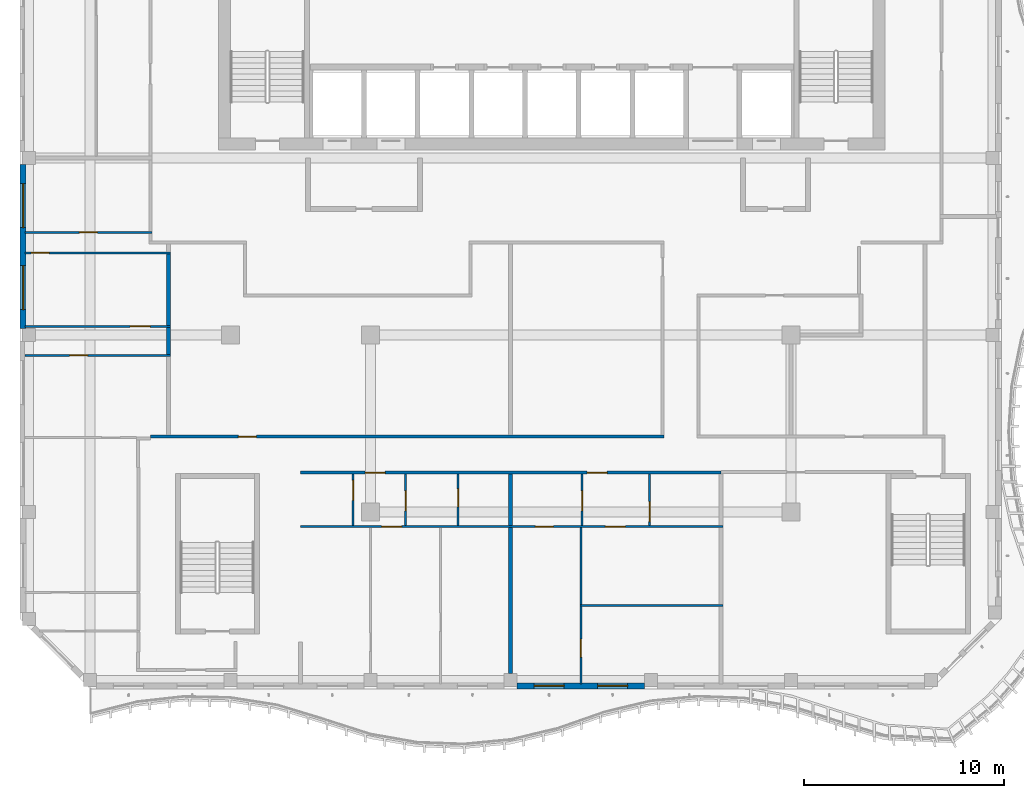
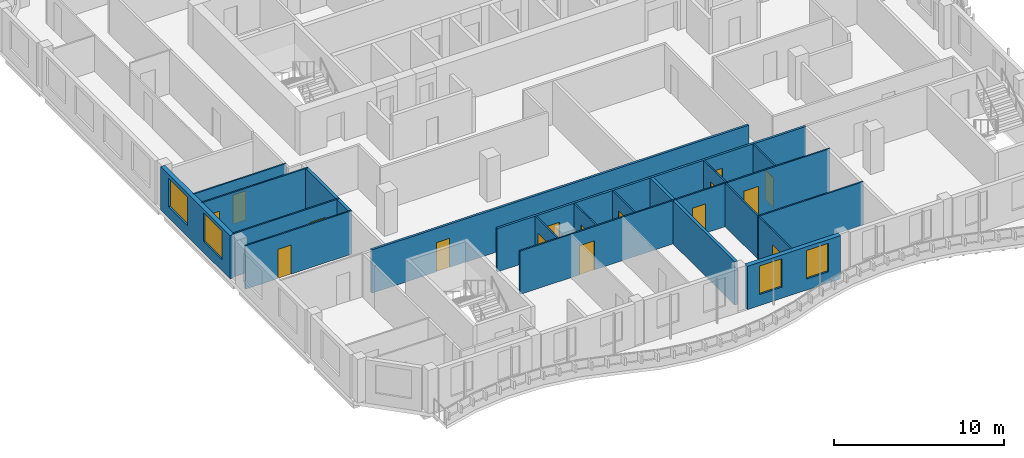
# One storey, part 3 of 16: 21 walls, 16 doors, 4 windows, 20 openings.
"""IFC4 building model written with IfcOpenShell, lengths in metres."""

from ifc_helpers import new_model, si_unit, direction, frame, frame_2d, origin, place, context, subcontext, project, spatial, rectangle, extrude, source, transform, mapped, material, layer, layer_set, type_object, element, fill, save


model = new_model("IFC4")

# Units and contexts
model_context = context("Model", 3, precision=1e-05, world=origin(), true_north=direction((0.0, 1.0)))
body_context = subcontext(model_context, "Body", "Model", "MODEL_VIEW")
ifc_project = project(units=[si_unit("LENGTHUNIT", "METRE"), si_unit("AREAUNIT", "SQUARE_METRE"), si_unit("VOLUMEUNIT", "CUBIC_METRE"), si_unit("PLANEANGLEUNIT", "RADIAN"), si_unit("MASSUNIT", "GRAM", prefix="KILO")], contexts=[model_context])

# Site, building, storey
site_placement = place(None, origin())
site = spatial("IfcSite", under=ifc_project, at=site_placement, CompositionType="ELEMENT")
building_placement = place(site_placement, origin())
building = spatial("IfcBuilding", under=site, at=building_placement, Name="Kilnfold Tower and Market Hall", CompositionType="ELEMENT")
storey_placement = place(building_placement, frame((0.0, 0.0, 284.0)))
storey = spatial("IfcBuildingStorey", under=building, at=storey_placement, Name="L70", CompositionType="ELEMENT", Elevation=284.0)

# Wall, opening, door
ifc_material_1 = material(Name="Gypsum board on steel studs", Category="steel")
ifc_layer_1 = layer(ifc_material_1, 0.14990234375)
ifc_layer_set_1 = layer_set([ifc_layer_1], Name="Gypsum board on steel studs")
wall_type_1 = type_object("IfcWallType", Name="WALL CORRIDOR 150", PredefinedType="PARTITIONING", material=ifc_layer_set_1)
wall_1_placement = place(storey_placement, frame((-19.0, -5.89990234375, 0.0), z_axis=(0.0, 0.0, 1.0), x_axis=(1.0, 0.0, 0.0)))
wall_1 = element("IfcWall", 1, at=wall_1_placement, inside=storey, type_object=wall_type_1, Name="Partition LY42.10", PredefinedType="PARTITIONING", context=body_context, shape_type="SweptSolid", body=[
    extrude(rectangle(XDim=25.655029296875, YDim=0.14990234375, at=frame_2d((12.82763671875, 0.0))), origin(), (0.0, 0.0, 1.0), 3.1201171875),
])
opening_1_placement = place(wall_1_placement, frame((4.39404296875, 0.0, 0.0)))
opening_1 = element("IfcOpeningElement", 2, at=opening_1_placement, cuts=wall_1, Name="Opening D2", PredefinedType="OPENING", context=body_context, shape_type="SweptSolid", body=[
    extrude(rectangle(XDim=0.89990234375, YDim=2.10009765625, at=frame_2d((0.449951171875, 1.050048828125))), frame((0.0, 0.0849609375, 0.0), z_axis=(0.0, -1.0, 0.0), x_axis=(1.0, 0.0, 0.0)), (0.0, 0.0, 1.0), 0.169921875),
])
ifc_material_2 = material(Name="Timber veneer door leaf in steel frame", Category="steel")
door_type_1 = type_object("IfcDoorType", Name="DOOR ROOM 900 X2100", OperationType="NOTDEFINED", PredefinedType="DOOR", material=ifc_material_2)
door_1_placement = place(opening_1_placement, origin())
door_1 = element("IfcDoor", 3, at=door_1_placement, inside=storey, type_object=door_type_1, Name="Door D2", OperationType="SINGLE_SWING_RIGHT", OverallHeight=2.10009765625, OverallWidth=0.89990234375, PredefinedType="DOOR", context=body_context, shape_type="SweptSolid", body=[
    extrude(rectangle(XDim=0.89990234375, YDim=2.10009765625, at=frame_2d((0.449951171875, 1.050048828125))), frame((0.0, 0.02490234375, 0.0), z_axis=(0.0, -1.0, 0.0), x_axis=(1.0, 0.0, 0.0)), (0.0, 0.0, 1.0), 0.050048828125),
])
fill(opening_1, door_1)

# Wall, openings, doors
wall_2_placement = place(storey_placement, frame((-11.510009765625, -7.699951171875, 0.0), z_axis=(0.0, 0.0, 1.0), x_axis=(1.0, 0.0, 0.0)))
wall_2 = element("IfcWall", 4, at=wall_2_placement, inside=storey, type_object=wall_type_1, Name="Partition LY42.14", PredefinedType="PARTITIONING", context=body_context, shape_type="SweptSolid", body=[
    extrude(rectangle(XDim=21.02001953125, YDim=0.14990234375, at=frame_2d((10.510009765625, 0.0))), origin(), (0.0, 0.0, 1.0), 3.1201171875),
])
opening_2_placement = place(wall_2_placement, frame((3.239990234375, 0.0, 0.0)))
opening_2 = element("IfcOpeningElement", 5, at=opening_2_placement, cuts=wall_2, Name="Opening D1", PredefinedType="OPENING", context=body_context, shape_type="SweptSolid", body=[
    extrude(rectangle(XDim=1.0, YDim=2.10009765625, at=frame_2d((0.5, 1.050048828125))), frame((0.0, 0.0849609375, 0.0), z_axis=(0.0, -1.0, 0.0), x_axis=(1.0, 0.0, 0.0)), (0.0, 0.0, 1.0), 0.169921875),
])
opening_3_placement = place(wall_2_placement, frame((14.321044921875, 0.0, 0.0)))
opening_3 = element("IfcOpeningElement", 6, at=opening_3_placement, cuts=wall_2, Name="Opening D1", PredefinedType="OPENING", context=body_context, shape_type="SweptSolid", body=[
    extrude(rectangle(XDim=1.0, YDim=2.10009765625, at=frame_2d((0.5, 1.050048828125))), frame((0.0, 0.0849609375, 0.0), z_axis=(0.0, -1.0, 0.0), x_axis=(1.0, 0.0, 0.0)), (0.0, 0.0, 1.0), 0.169921875),
])
ifc_material_3 = material(Name="Timber veneer door leaf in steel frame", Category="steel")
door_type_2 = type_object("IfcDoorType", Name="DOOR ENTRY 1000 X2100", OperationType="NOTDEFINED", PredefinedType="DOOR", material=ifc_material_3)
door_2_placement = place(opening_2_placement, origin())
door_2 = element("IfcDoor", 7, at=door_2_placement, inside=storey, type_object=door_type_2, Name="Door D1", OperationType="SINGLE_SWING_LEFT", OverallHeight=2.10009765625, OverallWidth=1.0, PredefinedType="DOOR", context=body_context, shape_type="SweptSolid", body=[
    extrude(rectangle(XDim=1.0, YDim=2.10009765625, at=frame_2d((0.5, 1.050048828125))), frame((0.0, 0.02490234375, 0.0), z_axis=(0.0, -1.0, 0.0), x_axis=(1.0, 0.0, 0.0)), (0.0, 0.0, 1.0), 0.050048828125),
])
fill(opening_2, door_2)
door_3_placement = place(opening_3_placement, origin())
door_3 = element("IfcDoor", 8, at=door_3_placement, inside=storey, type_object=door_type_2, Name="Door D1", OperationType="SINGLE_SWING_RIGHT", OverallHeight=2.10009765625, OverallWidth=1.0, PredefinedType="DOOR", context=body_context, shape_type="SweptSolid", body=[
    extrude(rectangle(XDim=1.0, YDim=2.10009765625, at=frame_2d((0.5, 1.050048828125))), frame((0.0, 0.02490234375, 0.0), z_axis=(0.0, -1.0, 0.0), x_axis=(1.0, 0.0, 0.0)), (0.0, 0.0, 1.0), 0.050048828125),
])
fill(opening_3, door_3)

# Wall, opening, door
ifc_material_4 = material(Name="Gypsum board on steel studs", Category="steel")
ifc_layer_2 = layer(ifc_material_4, 0.10009765625)
ifc_layer_set_2 = layer_set([ifc_layer_2], Name="Gypsum board on steel studs")
wall_type_2 = type_object("IfcWallType", Name="WALL PARTITION 100", PredefinedType="PARTITIONING", material=ifc_layer_set_2)
wall_3_placement = place(storey_placement, frame((-18.0, -1.842041015625, 0.0), z_axis=(0.0, 0.0, 1.0), x_axis=(-1.0, 0.0, 0.0)))
wall_3 = element("IfcWall", 9, at=wall_3_placement, inside=storey, type_object=wall_type_2, Name="Partition LY42.37", PredefinedType="PARTITIONING", context=body_context, shape_type="SweptSolid", body=[
    extrude(rectangle(XDim=7.25, YDim=0.10009765625, at=frame_2d((3.625, 0.0))), origin(), (0.0, 0.0, 1.0), 3.1201171875),
])
opening_4_placement = place(wall_3_placement, frame((4.133056640625, 0.0, 0.0)))
opening_4 = element("IfcOpeningElement", 10, at=opening_4_placement, cuts=wall_3, Name="Opening D2", PredefinedType="OPENING", context=body_context, shape_type="SweptSolid", body=[
    extrude(rectangle(XDim=0.89990234375, YDim=2.10009765625, at=frame_2d((0.449951171875, 1.050048828125))), frame((0.0, 0.06005859375, 0.0), z_axis=(0.0, -1.0, 0.0), x_axis=(1.0, 0.0, 0.0)), (0.0, 0.0, 1.0), 0.1201171875),
])
door_4_placement = place(opening_4_placement, origin())
door_4 = element("IfcDoor", 11, at=door_4_placement, inside=storey, type_object=door_type_1, Name="Door D2", OperationType="SINGLE_SWING_RIGHT", OverallHeight=2.10009765625, OverallWidth=0.89990234375, PredefinedType="DOOR", context=body_context, shape_type="SweptSolid", body=[
    extrude(rectangle(XDim=0.89990234375, YDim=2.10009765625, at=frame_2d((0.449951171875, 1.050048828125))), frame((0.0, 0.02490234375, 0.0), z_axis=(0.0, -1.0, 0.0), x_axis=(1.0, 0.0, 0.0)), (0.0, 0.0, 1.0), 0.050048828125),
])
fill(opening_4, door_4)

wall_4_placement = place(storey_placement, frame((-18.0, -0.39990234375, 0.0), z_axis=(0.0, 0.0, 1.0), x_axis=(-1.0, 0.0, 0.0)))
wall_4 = element("IfcWall", 12, at=wall_4_placement, inside=storey, type_object=wall_type_2, Name="Partition LY42.39", PredefinedType="PARTITIONING", context=body_context, shape_type="SweptSolid", body=[
    extrude(rectangle(XDim=7.25, YDim=0.10009765625, at=frame_2d((3.625, 0.0))), origin(), (0.0, 0.0, 1.0), 3.1201171875),
])
opening_5_placement = place(wall_4_placement, frame((1.007080078125, 0.0, 0.0)))
opening_5 = element("IfcOpeningElement", 13, at=opening_5_placement, cuts=wall_4, Name="Opening D1", PredefinedType="OPENING", context=body_context, shape_type="SweptSolid", body=[
    extrude(rectangle(XDim=1.0, YDim=2.10009765625, at=frame_2d((0.5, 1.050048828125))), frame((0.0, 0.06005859375, 0.0), z_axis=(0.0, -1.0, 0.0), x_axis=(1.0, 0.0, 0.0)), (0.0, 0.0, 1.0), 0.1201171875),
])
door_5_placement = place(opening_5_placement, origin())
door_5 = element("IfcDoor", 14, at=door_5_placement, inside=storey, type_object=door_type_2, Name="Door D1", OperationType="SINGLE_SWING_LEFT", OverallHeight=2.10009765625, OverallWidth=1.0, PredefinedType="DOOR", context=body_context, shape_type="SweptSolid", body=[
    extrude(rectangle(XDim=1.0, YDim=2.10009765625, at=frame_2d((0.5, 1.050048828125))), frame((0.0, 0.02490234375, 0.0), z_axis=(0.0, -1.0, 0.0), x_axis=(1.0, 0.0, 0.0)), (0.0, 0.0, 1.0), 0.050048828125),
])
fill(opening_5, door_5)

wall_5_placement = place(storey_placement, frame((-18.0, 3.27490234375, 0.0), z_axis=(0.0, 0.0, 1.0), x_axis=(-1.0, 0.0, 0.0)))
wall_5 = element("IfcWall", 15, at=wall_5_placement, inside=storey, type_object=wall_type_2, Name="Partition LY42.41", PredefinedType="PARTITIONING", context=body_context, shape_type="SweptSolid", body=[
    extrude(rectangle(XDim=7.25, YDim=0.10009765625, at=frame_2d((3.625, 0.0))), origin(), (0.0, 0.0, 1.0), 3.1201171875),
])
opening_6_placement = place(wall_5_placement, frame((6.049072265625, 0.0, 0.0)))
opening_6 = element("IfcOpeningElement", 16, at=opening_6_placement, cuts=wall_5, Name="Opening D2", PredefinedType="OPENING", context=body_context, shape_type="SweptSolid", body=[
    extrude(rectangle(XDim=0.89990234375, YDim=2.10009765625, at=frame_2d((0.449951171875, 1.050048828125))), frame((0.0, 0.06005859375, 0.0), z_axis=(0.0, -1.0, 0.0), x_axis=(1.0, 0.0, 0.0)), (0.0, 0.0, 1.0), 0.1201171875),
])
door_6_placement = place(opening_6_placement, origin())
door_6 = element("IfcDoor", 17, at=door_6_placement, inside=storey, type_object=door_type_1, Name="Door D2", OperationType="SINGLE_SWING_LEFT", OverallHeight=2.10009765625, OverallWidth=0.89990234375, PredefinedType="DOOR", context=body_context, shape_type="SweptSolid", body=[
    extrude(rectangle(XDim=0.89990234375, YDim=2.10009765625, at=frame_2d((0.449951171875, 1.050048828125))), frame((0.0, 0.02490234375, 0.0), z_axis=(0.0, -1.0, 0.0), x_axis=(1.0, 0.0, 0.0)), (0.0, 0.0, 1.0), 0.050048828125),
])
fill(opening_6, door_6)

wall_6_placement = place(storey_placement, frame((-18.927001953125, 4.2919921875, 0.0), z_axis=(0.0, 0.0, 1.0), x_axis=(-1.0, 0.0, 0.0)))
wall_6 = element("IfcWall", 18, at=wall_6_placement, inside=storey, type_object=wall_type_2, Name="Partition LY42.43", PredefinedType="PARTITIONING", context=body_context, shape_type="SweptSolid", body=[
    extrude(rectangle(XDim=6.322998046875, YDim=0.10009765625, at=frame_2d((3.16162109375, 0.0))), origin(), (0.0, 0.0, 1.0), 3.1201171875),
])
opening_7_placement = place(wall_6_placement, frame((2.7119140625, 0.0, 0.0)))
opening_7 = element("IfcOpeningElement", 19, at=opening_7_placement, cuts=wall_6, Name="Opening D2", PredefinedType="OPENING", context=body_context, shape_type="SweptSolid", body=[
    extrude(rectangle(XDim=0.89990234375, YDim=2.10009765625, at=frame_2d((0.449951171875, 1.050048828125))), frame((0.0, 0.06005859375, 0.0), z_axis=(0.0, -1.0, 0.0), x_axis=(1.0, 0.0, 0.0)), (0.0, 0.0, 1.0), 0.1201171875),
])
door_7_placement = place(opening_7_placement, origin())
door_7 = element("IfcDoor", 20, at=door_7_placement, inside=storey, type_object=door_type_1, Name="Door D2", OperationType="SINGLE_SWING_RIGHT", OverallHeight=2.10009765625, OverallWidth=0.89990234375, PredefinedType="DOOR", context=body_context, shape_type="SweptSolid", body=[
    extrude(rectangle(XDim=0.89990234375, YDim=2.10009765625, at=frame_2d((0.449951171875, 1.050048828125))), frame((0.0, 0.02490234375, 0.0), z_axis=(0.0, -1.0, 0.0), x_axis=(1.0, 0.0, 0.0)), (0.0, 0.0, 1.0), 0.050048828125),
])
fill(opening_7, door_7)

wall_7_placement = place(storey_placement, frame((-8.875, -10.35009765625, 0.0), z_axis=(0.0, 0.0, 1.0), x_axis=(0.0, 1.0, 0.0)))
wall_7 = element("IfcWall", 21, at=wall_7_placement, inside=storey, type_object=wall_type_2, Name="Partition LY42.46", PredefinedType="PARTITIONING", context=body_context, shape_type="SweptSolid", body=[
    extrude(rectangle(XDim=2.572998046875, YDim=0.10009765625, at=frame_2d((1.28662109375, 0.0))), origin(), (0.0, 0.0, 1.0), 3.1201171875),
])
opening_8_placement = place(wall_7_placement, frame((1.26611328125, 0.0, 0.0)))
opening_8 = element("IfcOpeningElement", 22, at=opening_8_placement, cuts=wall_7, Name="Opening D1", PredefinedType="OPENING", context=body_context, shape_type="SweptSolid", body=[
    extrude(rectangle(XDim=1.0, YDim=2.10009765625, at=frame_2d((0.5, 1.050048828125))), frame((0.0, 0.06005859375, 0.0), z_axis=(0.0, -1.0, 0.0), x_axis=(1.0, 0.0, 0.0)), (0.0, 0.0, 1.0), 0.1201171875),
])
door_8_placement = place(opening_8_placement, origin())
door_8 = element("IfcDoor", 23, at=door_8_placement, inside=storey, type_object=door_type_2, Name="Door D1", OperationType="SINGLE_SWING_RIGHT", OverallHeight=2.10009765625, OverallWidth=1.0, PredefinedType="DOOR", context=body_context, shape_type="SweptSolid", body=[
    extrude(rectangle(XDim=1.0, YDim=2.10009765625, at=frame_2d((0.5, 1.050048828125))), frame((0.0, 0.02490234375, 0.0), z_axis=(0.0, -1.0, 0.0), x_axis=(1.0, 0.0, 0.0)), (0.0, 0.0, 1.0), 0.050048828125),
])
fill(opening_8, door_8)

# Wall, openings, doors
wall_8_placement = place(storey_placement, frame((-11.5, -10.39990234375, 0.0), z_axis=(0.0, 0.0, 1.0), x_axis=(1.0, 0.0, 0.0)))
wall_8 = element("IfcWall", 24, at=wall_8_placement, inside=storey, type_object=wall_type_2, Name="Partition LY42.47", PredefinedType="PARTITIONING", context=body_context, shape_type="SweptSolid", body=[
    extrude(rectangle(XDim=21.10009765625, YDim=0.10009765625, at=frame_2d((10.550048828125, 0.0))), origin(), (0.0, 0.0, 1.0), 3.1201171875),
])
opening_9_placement = place(wall_8_placement, frame((4.050048828125, 0.0, 0.0)))
opening_9 = element("IfcOpeningElement", 25, at=opening_9_placement, cuts=wall_8, Name="Opening D1", PredefinedType="OPENING", context=body_context, shape_type="SweptSolid", body=[
    extrude(rectangle(XDim=1.0, YDim=2.10009765625, at=frame_2d((0.5, 1.050048828125))), frame((0.0, 0.06005859375, 0.0), z_axis=(0.0, -1.0, 0.0), x_axis=(1.0, 0.0, 0.0)), (0.0, 0.0, 1.0), 0.1201171875),
])
opening_10_placement = place(wall_8_placement, frame((11.72705078125, 0.0, 0.0)))
opening_10 = element("IfcOpeningElement", 26, at=opening_10_placement, cuts=wall_8, Name="Opening D2", PredefinedType="OPENING", context=body_context, shape_type="SweptSolid", body=[
    extrude(rectangle(XDim=0.89990234375, YDim=2.10009765625, at=frame_2d((0.449951171875, 1.050048828125))), frame((0.0, 0.06005859375, 0.0), z_axis=(0.0, -1.0, 0.0), x_axis=(1.0, 0.0, 0.0)), (0.0, 0.0, 1.0), 0.1201171875),
])
opening_11_placement = place(wall_8_placement, frame((15.22509765625, 0.0, 0.0)))
opening_11 = element("IfcOpeningElement", 27, at=opening_11_placement, cuts=wall_8, Name="Opening D1", PredefinedType="OPENING", context=body_context, shape_type="SweptSolid", body=[
    extrude(rectangle(XDim=1.0, YDim=2.10009765625, at=frame_2d((0.5, 1.050048828125))), frame((0.0, 0.06005859375, 0.0), z_axis=(0.0, -1.0, 0.0), x_axis=(1.0, 0.0, 0.0)), (0.0, 0.0, 1.0), 0.1201171875),
])
door_9_placement = place(opening_9_placement, origin())
door_9 = element("IfcDoor", 28, at=door_9_placement, inside=storey, type_object=door_type_2, Name="Door D1", OperationType="SINGLE_SWING_RIGHT", OverallHeight=2.10009765625, OverallWidth=1.0, PredefinedType="DOOR", context=body_context, shape_type="SweptSolid", body=[
    extrude(rectangle(XDim=1.0, YDim=2.10009765625, at=frame_2d((0.5, 1.050048828125))), frame((0.0, 0.02490234375, 0.0), z_axis=(0.0, -1.0, 0.0), x_axis=(1.0, 0.0, 0.0)), (0.0, 0.0, 1.0), 0.050048828125),
])
fill(opening_9, door_9)
door_10_placement = place(opening_11_placement, origin())
door_10 = element("IfcDoor", 29, at=door_10_placement, inside=storey, type_object=door_type_2, Name="Door D1", OperationType="SINGLE_SWING_LEFT", OverallHeight=2.10009765625, OverallWidth=1.0, PredefinedType="DOOR", context=body_context, shape_type="SweptSolid", body=[
    extrude(rectangle(XDim=1.0, YDim=2.10009765625, at=frame_2d((0.5, 1.050048828125))), frame((0.0, 0.02490234375, 0.0), z_axis=(0.0, -1.0, 0.0), x_axis=(1.0, 0.0, 0.0)), (0.0, 0.0, 1.0), 0.050048828125),
])
fill(opening_11, door_10)
door_11_placement = place(opening_10_placement, origin())
door_11 = element("IfcDoor", 30, at=door_11_placement, inside=storey, type_object=door_type_1, Name="Door D2", OperationType="SINGLE_SWING_LEFT", OverallHeight=2.10009765625, OverallWidth=0.89990234375, PredefinedType="DOOR", context=body_context, shape_type="SweptSolid", body=[
    extrude(rectangle(XDim=0.89990234375, YDim=2.10009765625, at=frame_2d((0.449951171875, 1.050048828125))), frame((0.0, 0.02490234375, 0.0), z_axis=(0.0, -1.0, 0.0), x_axis=(1.0, 0.0, 0.0)), (0.0, 0.0, 1.0), 0.050048828125),
])
fill(opening_10, door_11)

# Wall, opening, door
wall_9_placement = place(storey_placement, frame((-6.25, -10.35009765625, 0.0), z_axis=(0.0, 0.0, 1.0), x_axis=(0.0, 1.0, 0.0)))
wall_9 = element("IfcWall", 31, at=wall_9_placement, inside=storey, type_object=wall_type_2, Name="Partition LY42.48", PredefinedType="PARTITIONING", context=body_context, shape_type="SweptSolid", body=[
    extrude(rectangle(XDim=2.572998046875, YDim=0.10009765625, at=frame_2d((1.28662109375, 0.0))), origin(), (0.0, 0.0, 1.0), 3.1201171875),
])
opening_12_placement = place(wall_9_placement, frame((0.73291015625, 0.0, 0.0)))
opening_12 = element("IfcOpeningElement", 32, at=opening_12_placement, cuts=wall_9, Name="Opening D1", PredefinedType="OPENING", context=body_context, shape_type="SweptSolid", body=[
    extrude(rectangle(XDim=1.0, YDim=2.10009765625, at=frame_2d((0.5, 1.050048828125))), frame((0.0, 0.06005859375, 0.0), z_axis=(0.0, -1.0, 0.0), x_axis=(1.0, 0.0, 0.0)), (0.0, 0.0, 1.0), 0.1201171875),
])
door_12_placement = place(opening_12_placement, origin())
door_12 = element("IfcDoor", 33, at=door_12_placement, inside=storey, type_object=door_type_2, Name="Door D1", OperationType="SINGLE_SWING_RIGHT", OverallHeight=2.10009765625, OverallWidth=1.0, PredefinedType="DOOR", context=body_context, shape_type="SweptSolid", body=[
    extrude(rectangle(XDim=1.0, YDim=2.10009765625, at=frame_2d((0.5, 1.050048828125))), frame((0.0, 0.02490234375, 0.0), z_axis=(0.0, -1.0, 0.0), x_axis=(1.0, 0.0, 0.0)), (0.0, 0.0, 1.0), 0.050048828125),
])
fill(opening_12, door_12)

wall_10_placement = place(storey_placement, frame((-3.625, -10.35009765625, 0.0), z_axis=(0.0, 0.0, 1.0), x_axis=(0.0, 1.0, 0.0)))
wall_10 = element("IfcWall", 34, at=wall_10_placement, inside=storey, type_object=wall_type_2, Name="Partition LY42.49", PredefinedType="PARTITIONING", context=body_context, shape_type="SweptSolid", body=[
    extrude(rectangle(XDim=2.572998046875, YDim=0.10009765625, at=frame_2d((1.28662109375, 0.0))), origin(), (0.0, 0.0, 1.0), 3.1201171875),
])
opening_13_placement = place(wall_10_placement, frame((0.943115234375, 0.0, 0.0)))
opening_13 = element("IfcOpeningElement", 35, at=opening_13_placement, cuts=wall_10, Name="Opening D2", PredefinedType="OPENING", context=body_context, shape_type="SweptSolid", body=[
    extrude(rectangle(XDim=0.89990234375, YDim=2.10009765625, at=frame_2d((0.449951171875, 1.050048828125))), frame((0.0, 0.06005859375, 0.0), z_axis=(0.0, -1.0, 0.0), x_axis=(1.0, 0.0, 0.0)), (0.0, 0.0, 1.0), 0.1201171875),
])
door_13_placement = place(opening_13_placement, origin())
door_13 = element("IfcDoor", 36, at=door_13_placement, inside=storey, type_object=door_type_1, Name="Door D2", OperationType="SINGLE_SWING_RIGHT", OverallHeight=2.10009765625, OverallWidth=0.89990234375, PredefinedType="DOOR", context=body_context, shape_type="SweptSolid", body=[
    extrude(rectangle(XDim=0.89990234375, YDim=2.10009765625, at=frame_2d((0.449951171875, 1.050048828125))), frame((0.0, 0.02490234375, 0.0), z_axis=(0.0, -1.0, 0.0), x_axis=(1.0, 0.0, 0.0)), (0.0, 0.0, 1.0), 0.050048828125),
])
fill(opening_13, door_13)

wall_11_placement = place(storey_placement, frame((2.570068359375, -10.35009765625, 0.0), z_axis=(0.0, 0.0, 1.0), x_axis=(0.0, 1.0, 0.0)))
wall_11 = element("IfcWall", 37, at=wall_11_placement, inside=storey, type_object=wall_type_2, Name="Partition LY42.54", PredefinedType="PARTITIONING", context=body_context, shape_type="SweptSolid", body=[
    extrude(rectangle(XDim=2.572998046875, YDim=0.10009765625, at=frame_2d((1.28662109375, 0.0))), origin(), (0.0, 0.0, 1.0), 3.1201171875),
])
opening_14_placement = place(wall_11_placement, frame((0.73291015625, 0.0, 0.0)))
opening_14 = element("IfcOpeningElement", 38, at=opening_14_placement, cuts=wall_11, Name="Opening D1", PredefinedType="OPENING", context=body_context, shape_type="SweptSolid", body=[
    extrude(rectangle(XDim=1.0, YDim=2.10009765625, at=frame_2d((0.5, 1.050048828125))), frame((0.0, 0.06005859375, 0.0), z_axis=(0.0, -1.0, 0.0), x_axis=(1.0, 0.0, 0.0)), (0.0, 0.0, 1.0), 0.1201171875),
])
door_14_placement = place(opening_14_placement, origin())
door_14 = element("IfcDoor", 39, at=door_14_placement, inside=storey, type_object=door_type_2, Name="Door D1", OperationType="SINGLE_SWING_LEFT", OverallHeight=2.10009765625, OverallWidth=1.0, PredefinedType="DOOR", context=body_context, shape_type="SweptSolid", body=[
    extrude(rectangle(XDim=1.0, YDim=2.10009765625, at=frame_2d((0.5, 1.050048828125))), frame((0.0, 0.02490234375, 0.0), z_axis=(0.0, -1.0, 0.0), x_axis=(1.0, 0.0, 0.0)), (0.0, 0.0, 1.0), 0.050048828125),
])
fill(opening_14, door_14)

wall_12_placement = place(storey_placement, frame((5.929931640625, -10.35009765625, 0.0), z_axis=(0.0, 0.0, 1.0), x_axis=(0.0, 1.0, 0.0)))
wall_12 = element("IfcWall", 40, at=wall_12_placement, inside=storey, type_object=wall_type_2, Name="Partition LY42.55", PredefinedType="PARTITIONING", context=body_context, shape_type="SweptSolid", body=[
    extrude(rectangle(XDim=2.572998046875, YDim=0.10009765625, at=frame_2d((1.28662109375, 0.0))), origin(), (0.0, 0.0, 1.0), 3.1201171875),
])
opening_15_placement = place(wall_12_placement, frame((0.199951171875, 0.0, 0.0)))
opening_15 = element("IfcOpeningElement", 41, at=opening_15_placement, cuts=wall_12, Name="Opening D1", PredefinedType="OPENING", context=body_context, shape_type="SweptSolid", body=[
    extrude(rectangle(XDim=1.0, YDim=2.10009765625, at=frame_2d((0.5, 1.050048828125))), frame((0.0, 0.06005859375, 0.0), z_axis=(0.0, -1.0, 0.0), x_axis=(1.0, 0.0, 0.0)), (0.0, 0.0, 1.0), 0.1201171875),
])
door_15_placement = place(opening_15_placement, origin())
door_15 = element("IfcDoor", 42, at=door_15_placement, inside=storey, type_object=door_type_2, Name="Door D1", OperationType="SINGLE_SWING_LEFT", OverallHeight=2.10009765625, OverallWidth=1.0, PredefinedType="DOOR", context=body_context, shape_type="SweptSolid", body=[
    extrude(rectangle(XDim=1.0, YDim=2.10009765625, at=frame_2d((0.5, 1.050048828125))), frame((0.0, 0.02490234375, 0.0), z_axis=(0.0, -1.0, 0.0), x_axis=(1.0, 0.0, 0.0)), (0.0, 0.0, 1.0), 0.050048828125),
])
fill(opening_15, door_15)

wall_13_placement = place(storey_placement, frame((2.5, -18.25, 0.0), z_axis=(0.0, 0.0, 1.0), x_axis=(0.0, 1.0, 0.0)))
wall_13 = element("IfcWall", 43, at=wall_13_placement, inside=storey, type_object=wall_type_2, Name="Partition LY42.57", PredefinedType="PARTITIONING", context=body_context, shape_type="SweptSolid", body=[
    extrude(rectangle(XDim=3.884033203125, YDim=0.10009765625, at=frame_2d((1.94189453125, 0.0))), origin(), (0.0, 0.0, 1.0), 3.1201171875),
])
opening_16_placement = place(wall_13_placement, frame((1.3369140625, 0.0, 0.0)))
opening_16 = element("IfcOpeningElement", 44, at=opening_16_placement, cuts=wall_13, Name="Opening D2", PredefinedType="OPENING", context=body_context, shape_type="SweptSolid", body=[
    extrude(rectangle(XDim=0.89990234375, YDim=2.10009765625, at=frame_2d((0.449951171875, 1.050048828125))), frame((0.0, 0.06005859375, 0.0), z_axis=(0.0, -1.0, 0.0), x_axis=(1.0, 0.0, 0.0)), (0.0, 0.0, 1.0), 0.1201171875),
])
door_16_placement = place(opening_16_placement, origin())
door_16 = element("IfcDoor", 45, at=door_16_placement, inside=storey, type_object=door_type_1, Name="Door D2", OperationType="SINGLE_SWING_RIGHT", OverallHeight=2.10009765625, OverallWidth=0.89990234375, PredefinedType="DOOR", context=body_context, shape_type="SweptSolid", body=[
    extrude(rectangle(XDim=0.89990234375, YDim=2.10009765625, at=frame_2d((0.449951171875, 1.050048828125))), frame((0.0, 0.02490234375, 0.0), z_axis=(0.0, -1.0, 0.0), x_axis=(1.0, 0.0, 0.0)), (0.0, 0.0, 1.0), 0.050048828125),
])
fill(opening_16, door_16)

# Walls
wall_14_placement = place(storey_placement, frame((2.5, -14.285888671875, 0.0), z_axis=(0.0, 0.0, 1.0), x_axis=(0.0, 1.0, 0.0)))
element("IfcWall", 46, at=wall_14_placement, inside=storey, type_object=wall_type_2, Name="Partition LY42.58", PredefinedType="PARTITIONING", context=body_context, shape_type="SweptSolid", body=[
    extrude(rectangle(XDim=3.833984375, YDim=0.10009765625, at=frame_2d((1.9169921875, 0.0))), origin(), (0.0, 0.0, 1.0), 3.1201171875),
])
wall_15_placement = place(storey_placement, frame((9.60009765625, -14.325927734375, 0.0), z_axis=(0.0, 0.0, 1.0), x_axis=(-1.0, 0.0, 0.0)))
element("IfcWall", 47, at=wall_15_placement, inside=storey, type_object=wall_type_2, Name="Partition LY42.59", PredefinedType="PARTITIONING", context=body_context, shape_type="SweptSolid", body=[
    extrude(rectangle(XDim=7.150146484375, YDim=0.10009765625, at=frame_2d((3.5751953125, 0.0))), origin(), (0.0, 0.0, 1.0), 3.1201171875),
])
ifc_material_5 = material(Name="Gypsum board on steel studs", Category="steel")
ifc_layer_3 = layer(ifc_material_5, 0.199951171875)
ifc_layer_set_3 = layer_set([ifc_layer_3], Name="Gypsum board on steel studs")
wall_type_3 = type_object("IfcWallType", Name="WALL PARTY 200", PredefinedType="PARTITIONING", material=ifc_layer_set_3)
wall_16_placement = place(storey_placement, frame((-18.10009765625, -1.7919921875, 0.0), z_axis=(0.0, 0.0, 1.0), x_axis=(0.0, 1.0, 0.0)))
element("IfcWall", 48, at=wall_16_placement, inside=storey, type_object=wall_type_3, Name="Partition LY42.40", PredefinedType="PARTITIONING", context=body_context, shape_type="SweptSolid", body=[
    extrude(rectangle(XDim=1.342041015625, YDim=0.199951171875, at=frame_2d((0.6708984375, 0.0))), origin(), (0.0, 0.0, 1.0), 3.1201171875),
])
wall_17_placement = place(storey_placement, frame((-18.10009765625, -0.35009765625, 0.0), z_axis=(0.0, 0.0, 1.0), x_axis=(0.0, 1.0, 0.0)))
element("IfcWall", 49, at=wall_17_placement, inside=storey, type_object=wall_type_3, Name="Partition LY42.42", PredefinedType="PARTITIONING", context=body_context, shape_type="SweptSolid", body=[
    extrude(rectangle(XDim=3.5751953125, YDim=0.199951171875, at=frame_2d((1.78759765625, 0.0))), origin(), (0.0, 0.0, 1.0), 3.1201171875),
])
wall_18_placement = place(storey_placement, frame((-1.0, -10.35009765625, 0.0), z_axis=(0.0, 0.0, 1.0), x_axis=(0.0, 1.0, 0.0)))
element("IfcWall", 50, at=wall_18_placement, inside=storey, type_object=wall_type_3, Name="Partition LY42.50", PredefinedType="PARTITIONING", context=body_context, shape_type="SweptSolid", body=[
    extrude(rectangle(XDim=2.572998046875, YDim=0.199951171875, at=frame_2d((1.28662109375, 0.0))), origin(), (0.0, 0.0, 1.0), 3.1201171875),
])
wall_19_placement = place(storey_placement, frame((-1.0, -17.72509765625, 0.0), z_axis=(0.0, 0.0, 1.0), x_axis=(0.0, 1.0, 0.0)))
element("IfcWall", 51, at=wall_19_placement, inside=storey, type_object=wall_type_3, Name="Partition LY42.53", PredefinedType="PARTITIONING", context=body_context, shape_type="SweptSolid", body=[
    extrude(rectangle(XDim=7.273193359375, YDim=0.199951171875, at=frame_2d((3.63671875, 0.0))), origin(), (0.0, 0.0, 1.0), 3.1201171875),
])

# Wall, openings, windows
ifc_material_6 = material(Name="Precast concrete C50/60", Category="concrete")
ifc_layer_4 = layer(ifc_material_6, 0.300048828125)
ifc_layer_set_4 = layer_set([ifc_layer_4], Name="Precast concrete C50/60")
wall_type_4 = type_object("IfcWallType", Name="PRECAST WALL 300", PredefinedType="SOLIDWALL", material=ifc_layer_set_4)
shared_shape_1 = source(origin(), body_context, "Body", "SweptSolid", [
    extrude(rectangle(XDim=6.35009765625, YDim=0.300048828125, at=frame_2d((3.175048828125, 0.0))), origin(), (0.0, 0.0, 1.0), 3.1201171875),
])
wall_20_placement = place(storey_placement, frame((-0.675048828125, -18.35009765625, 0.0), z_axis=(0.0, 0.0, 1.0), x_axis=(1.0, 0.0, 0.0)))
wall_20 = element("IfcWall", 52, at=wall_20_placement, inside=storey, type_object=wall_type_4, Name="External wall L70 S", PredefinedType="SOLIDWALL", context=body_context, shape_type="MappedRepresentation", body=[
    mapped(shared_shape_1, transform((0.0, 0.0, 0.0))),
])
opening_17_placement = place(wall_20_placement, frame((0.83740234375, 0.0, 0.800048828125)))
opening_17 = element("IfcOpeningElement", 53, at=opening_17_placement, cuts=wall_20, Name="Opening W5", PredefinedType="OPENING", context=body_context, shape_type="SweptSolid", body=[
    extrude(rectangle(XDim=1.5, YDim=2.050048828125, at=frame_2d((0.75, 1.02490234375))), frame((0.0, 0.16015625, 0.0), z_axis=(0.0, -1.0, 0.0), x_axis=(1.0, 0.0, 0.0)), (0.0, 0.0, 1.0), 0.320068359375),
])
opening_18_placement = place(wall_20_placement, frame((4.012451171875, 0.0, 0.800048828125)))
opening_18 = element("IfcOpeningElement", 54, at=opening_18_placement, cuts=wall_20, Name="Opening W5", PredefinedType="OPENING", context=body_context, shape_type="SweptSolid", body=[
    extrude(rectangle(XDim=1.5, YDim=2.050048828125, at=frame_2d((0.75, 1.02490234375))), frame((0.0, 0.16015625, 0.0), z_axis=(0.0, -1.0, 0.0), x_axis=(1.0, 0.0, 0.0)), (0.0, 0.0, 1.0), 0.320068359375),
])
ifc_material_7 = material(Name="Aluminium frame and double glazing", Category="aluminium")
window_type_1 = type_object("IfcWindowType", Name="WINDOW W5 1500X2050", PartitioningType="SINGLE_PANEL", PredefinedType="WINDOW", material=ifc_material_7)
window_1_placement = place(opening_17_placement, origin())
window_1 = element("IfcWindow", 55, at=window_1_placement, inside=storey, type_object=window_type_1, Name="Window W5 L70 S-1", OverallHeight=2.050048828125, OverallWidth=1.5, PartitioningType="SINGLE_PANEL", PredefinedType="WINDOW", context=body_context, shape_type="SweptSolid", body=[
    extrude(rectangle(XDim=1.5, YDim=2.050048828125, at=frame_2d((0.75, 1.02490234375))), frame((0.0, 0.030029296875, 0.0), z_axis=(0.0, -1.0, 0.0), x_axis=(1.0, 0.0, 0.0)), (0.0, 0.0, 1.0), 0.06005859375),
])
fill(opening_17, window_1)
window_2_placement = place(opening_18_placement, origin())
window_2 = element("IfcWindow", 56, at=window_2_placement, inside=storey, type_object=window_type_1, Name="Window W5 L70 S-2", OverallHeight=2.050048828125, OverallWidth=1.5, PartitioningType="SINGLE_PANEL", PredefinedType="WINDOW", context=body_context, shape_type="SweptSolid", body=[
    extrude(rectangle(XDim=1.5, YDim=2.050048828125, at=frame_2d((0.75, 1.02490234375))), frame((0.0, 0.030029296875, 0.0), z_axis=(0.0, -1.0, 0.0), x_axis=(1.0, 0.0, 0.0)), (0.0, 0.0, 1.0), 0.06005859375),
])
fill(opening_18, window_2)

shared_shape_2 = source(origin(), body_context, "Body", "SweptSolid", [
    extrude(rectangle(XDim=8.183349609375, YDim=0.300048828125, at=frame_2d((4.091796875, 0.0))), origin(), (0.0, 0.0, 1.0), 3.1201171875),
])
wall_21_placement = place(storey_placement, frame((-25.35009765625, 7.675048828125, 0.0), z_axis=(0.0, 0.0, 1.0), x_axis=(0.0, -1.0, 0.0)))
wall_21 = element("IfcWall", 57, at=wall_21_placement, inside=storey, type_object=wall_type_4, Name="External wall L70 W", PredefinedType="SOLIDWALL", context=body_context, shape_type="MappedRepresentation", body=[
    mapped(shared_shape_2, transform((0.0, 0.0, 0.0))),
])
opening_19_placement = place(wall_21_placement, frame((0.94580078125, 0.0, 0.800048828125)))
opening_19 = element("IfcOpeningElement", 58, at=opening_19_placement, cuts=wall_21, Name="Opening W3", PredefinedType="OPENING", context=body_context, shape_type="SweptSolid", body=[
    extrude(rectangle(XDim=2.199951171875, YDim=2.050048828125, at=frame_2d((1.10009765625, 1.02490234375))), frame((0.0, 0.16015625, 0.0), z_axis=(0.0, -1.0, 0.0), x_axis=(1.0, 0.0, 0.0)), (0.0, 0.0, 1.0), 0.320068359375),
])
opening_20_placement = place(wall_21_placement, frame((5.037353515625, 0.0, 0.800048828125)))
opening_20 = element("IfcOpeningElement", 59, at=opening_20_placement, cuts=wall_21, Name="Opening W3", PredefinedType="OPENING", context=body_context, shape_type="SweptSolid", body=[
    extrude(rectangle(XDim=2.199951171875, YDim=2.050048828125, at=frame_2d((1.10009765625, 1.02490234375))), frame((0.0, 0.16015625, 0.0), z_axis=(0.0, -1.0, 0.0), x_axis=(1.0, 0.0, 0.0)), (0.0, 0.0, 1.0), 0.320068359375),
])
ifc_material_8 = material(Name="Aluminium frame and double glazing", Category="aluminium")
window_type_2 = type_object("IfcWindowType", Name="WINDOW W3 2200X2050", PartitioningType="SINGLE_PANEL", PredefinedType="WINDOW", material=ifc_material_8)
window_3_placement = place(opening_19_placement, origin())
window_3 = element("IfcWindow", 60, at=window_3_placement, inside=storey, type_object=window_type_2, Name="Window W3 L70 W-1", OverallHeight=2.050048828125, OverallWidth=2.199951171875, PartitioningType="SINGLE_PANEL", PredefinedType="WINDOW", context=body_context, shape_type="SweptSolid", body=[
    extrude(rectangle(XDim=2.199951171875, YDim=2.050048828125, at=frame_2d((1.10009765625, 1.02490234375))), frame((0.0, 0.030029296875, 0.0), z_axis=(0.0, -1.0, 0.0), x_axis=(1.0, 0.0, 0.0)), (0.0, 0.0, 1.0), 0.06005859375),
])
fill(opening_19, window_3)
window_4_placement = place(opening_20_placement, origin())
window_4 = element("IfcWindow", 61, at=window_4_placement, inside=storey, type_object=window_type_2, Name="Window W3 L70 W-2", OverallHeight=2.050048828125, OverallWidth=2.199951171875, PartitioningType="SINGLE_PANEL", PredefinedType="WINDOW", context=body_context, shape_type="SweptSolid", body=[
    extrude(rectangle(XDim=2.199951171875, YDim=2.050048828125, at=frame_2d((1.10009765625, 1.02490234375))), frame((0.0, 0.030029296875, 0.0), z_axis=(0.0, -1.0, 0.0), x_axis=(1.0, 0.0, 0.0)), (0.0, 0.0, 1.0), 0.06005859375),
])
fill(opening_20, window_4)

save(model, "model.ifc")
